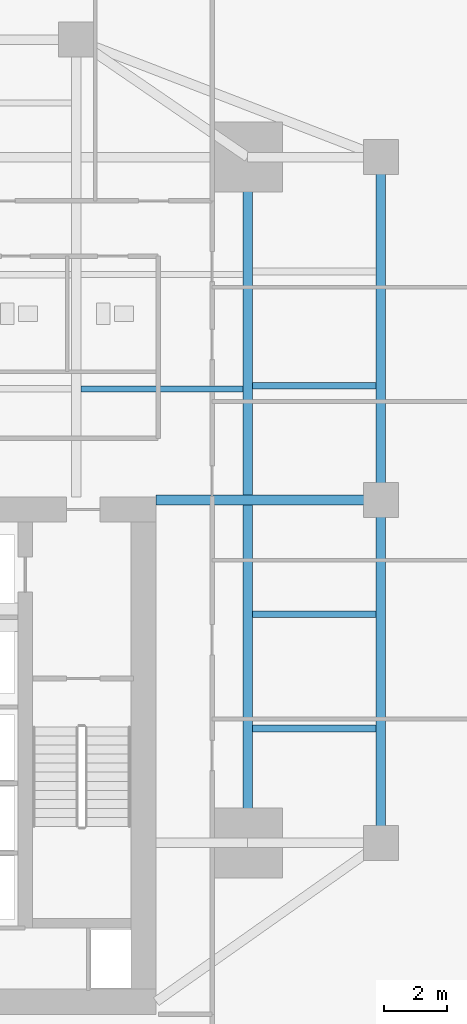
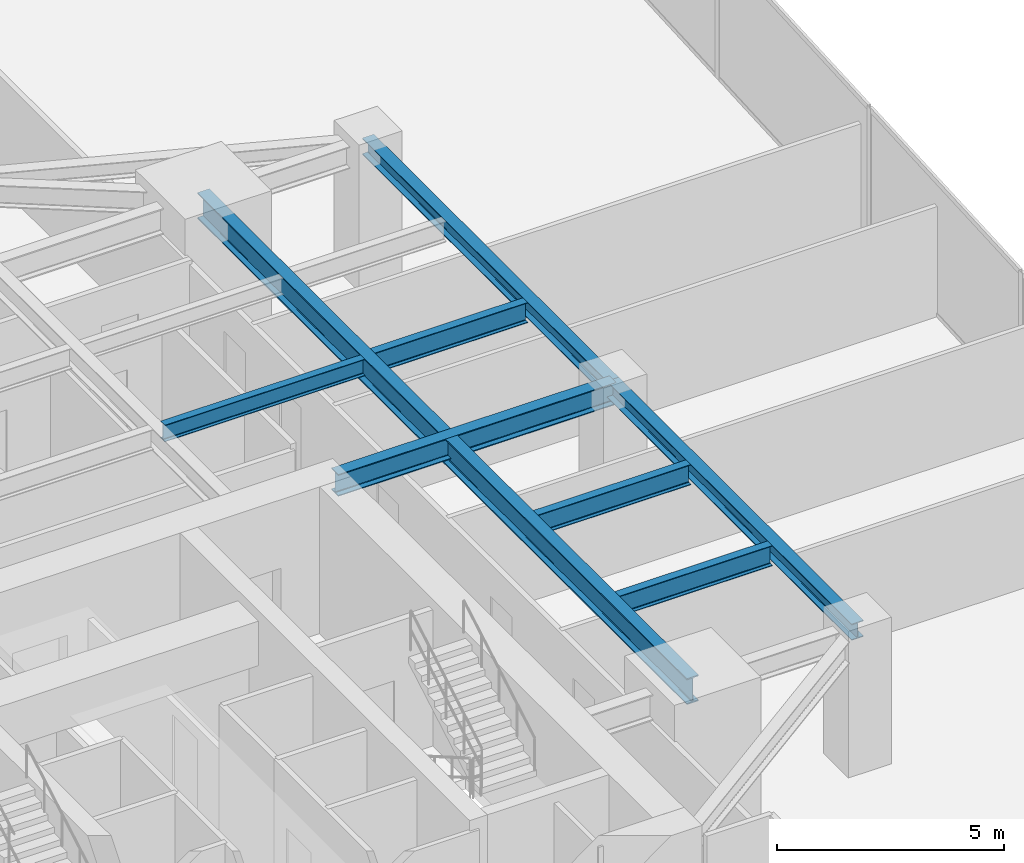
# One storey, part 15 of 30: 8 beams.
"""IFC4 building model written with IfcOpenShell, lengths in metres."""

from ifc_helpers import new_model, si_unit, direction, frame, origin, origin_2d, place, context, subcontext, project, spatial, i_section, extrude, source, transform, mapped, material, material_profile, profile_set, type_object, type_shapes, element, save


model = new_model("IFC4")

# Units and contexts
model_context = context("Model", 3, precision=1e-05, world=origin(), true_north=direction((0.0, 1.0)))
body_context = subcontext(model_context, "Body", "Model", "MODEL_VIEW")
ifc_project = project(units=[si_unit("LENGTHUNIT", "METRE"), si_unit("AREAUNIT", "SQUARE_METRE"), si_unit("VOLUMEUNIT", "CUBIC_METRE"), si_unit("PLANEANGLEUNIT", "RADIAN"), si_unit("MASSUNIT", "GRAM", prefix="KILO")], contexts=[model_context])

# Site, building, storey
site_placement = place(None, origin())
site = spatial("IfcSite", under=ifc_project, at=site_placement, CompositionType="ELEMENT")
building_placement = place(site_placement, origin())
building = spatial("IfcBuilding", under=site, at=building_placement, Name="Krantzveldt Concourse Tower", CompositionType="ELEMENT")
storey_placement = place(building_placement, frame((0.0, 0.0, 44.75)))
storey = spatial("IfcBuildingStorey", under=building, at=storey_placement, Name="L10", CompositionType="ELEMENT", Elevation=44.75)

# Beams
ifc_material_1 = material(Name="Steel S355J2", Category="steel")
ifc_material_profile_1 = material_profile(ifc_material_1, i_section(OverallWidth=0.300048828125, OverallDepth=0.699951171875, WebThickness=0.01708984375, FlangeThickness=0.031982421875, FilletRadius=0.027099609375, at=origin_2d()), Name="Steel S355J2", Category="steel")
ifc_profile_set_1 = profile_set([ifc_material_profile_1], Name="Steel S355J2 - HEB 700")
beam_type_1 = type_object("IfcBeamType", Name="BM-B-HEB700", PredefinedType="BEAM", material=ifc_profile_set_1)
shared_shape_1 = source(origin(), body_context, "Body", "SweptSolid", [
    extrude(i_section(OverallWidth=0.300048828125, OverallDepth=0.699951171875, WebThickness=0.01708984375, FlangeThickness=0.031982421875, FilletRadius=0.027099609375, at=origin_2d()), origin(), (0.0, 0.0, 1.0), 21.60009765625),
])
type_shapes(beam_type_1, [shared_shape_1])
beam_1_placement = place(storey_placement, frame((46.800048828125, 15.89990234375, 3.320068359375), z_axis=(0.0, 1.0, 0.0), x_axis=(-1.0, 0.0, 0.0)))
element("IfcBeam", 1, at=beam_1_placement, inside=storey, type_object=beam_type_1, Name="L10 Tower Girder BG-ME", PredefinedType="BEAM", context=body_context, shape_type="MappedRepresentation", body=[
    mapped(shared_shape_1, transform((0.0, 0.0, 0.0), x_axis=(1.0, 0.0, 0.0), y_axis=(0.0, 1.0, 0.0), z_axis=(0.0, 0.0, 1.0), scale=1.0)),
])
ifc_material_2 = material(Name="Steel S355JR", Category="steel")
ifc_material_profile_2 = material_profile(ifc_material_2, i_section(OverallWidth=0.300048828125, OverallDepth=0.590087890625, WebThickness=0.012939453125, FlangeThickness=0.02490234375, FilletRadius=0.027099609375, at=origin_2d()), Name="Steel S355JR", Category="steel")
ifc_profile_set_2 = profile_set([ifc_material_profile_2], Name="Steel S355JR - HEA 600")
beam_type_2 = type_object("IfcBeamType", Name="BM-B-HEA600", PredefinedType="BEAM", material=ifc_profile_set_2)
shared_shape_2 = source(origin(), body_context, "Body", "SweptSolid", [
    extrude(i_section(OverallWidth=0.300048828125, OverallDepth=0.590087890625, WebThickness=0.012939453125, FlangeThickness=0.02490234375, FilletRadius=0.027099609375, at=origin_2d()), origin(), (0.0, 0.0, 1.0), 7.080078125),
])
type_shapes(beam_type_2, [shared_shape_2])
beam_2_placement = place(storey_placement, frame((43.919921875, 26.699951171875, 3.375), z_axis=(1.0, 0.0, 0.0), x_axis=(0.0, 1.0, 0.0)))
element("IfcBeam", 2, at=beam_2_placement, inside=storey, type_object=beam_type_2, Name="L10 Tower Girder BG-CE2", PredefinedType="BEAM", context=body_context, shape_type="MappedRepresentation", body=[
    mapped(shared_shape_2, transform((0.0, 0.0, 0.0), x_axis=(1.0, 0.0, 0.0), y_axis=(0.0, 1.0, 0.0), z_axis=(0.0, 0.0, 1.0), scale=1.0)),
])
ifc_material_profile_3 = material_profile(ifc_material_2, i_section(OverallWidth=0.300048828125, OverallDepth=0.43994140625, WebThickness=0.011474609375, FlangeThickness=0.02099609375, FilletRadius=0.027099609375, at=origin_2d()), Name="Steel S355JR", Category="steel")
ifc_profile_set_3 = profile_set([ifc_material_profile_3], Name="Steel S355JR - HEA 450")
beam_type_3 = type_object("IfcBeamType", Name="BM-SP-HEA450", PredefinedType="SPANDREL", material=ifc_profile_set_3)
shared_shape_3 = source(origin(), body_context, "Body", "SweptSolid", [
    extrude(i_section(OverallWidth=0.300048828125, OverallDepth=0.43994140625, WebThickness=0.011474609375, FlangeThickness=0.02099609375, FilletRadius=0.027099609375, at=origin_2d()), origin(), (0.0, 0.0, 1.0), 10.800048828125),
])
type_shapes(beam_type_3, [shared_shape_3])
for number, where, z_axis, x_axis, name in (
    (3, (51.0, 37.5, 3.449951171875), (0.0, -1.0, 0.0), (1.0, 0.0, 0.0), "L10 Tower Girder SP-R06"),
    (4, (51.0, 26.699951171875, 3.449951171875), (0.0, -1.0, 0.0), (1.0, 0.0, 0.0), "L10 Tower Girder SP-R07"),
):
    element("IfcBeam", number, at=place(storey_placement, frame(where, z_axis=z_axis, x_axis=x_axis)), inside=storey, type_object=beam_type_3, Name=name, PredefinedType="SPANDREL", context=body_context, shape_type="MappedRepresentation", body=[
        mapped(shared_shape_3, transform((0.0, 0.0, 0.0), x_axis=(1.0, 0.0, 0.0), y_axis=(0.0, 1.0, 0.0), z_axis=(0.0, 0.0, 1.0), scale=1.0)),
    ])
ifc_material_profile_4 = material_profile(ifc_material_2, i_section(OverallWidth=0.18994140625, OverallDepth=0.449951171875, WebThickness=0.009521484375, FlangeThickness=0.0146484375, FilletRadius=0.02099609375, at=origin_2d()), Name="Steel S355JR", Category="steel")
ifc_profile_set_4 = profile_set([ifc_material_profile_4], Name="Steel S355JR - IPE 450")
beam_type_4 = type_object("IfcBeamType", Name="BM-J-IPE450", PredefinedType="JOIST", material=ifc_profile_set_4)
shared_shape_4 = source(origin(), body_context, "Body", "SweptSolid", [
    extrude(i_section(OverallWidth=0.18994140625, OverallDepth=0.449951171875, WebThickness=0.009521484375, FlangeThickness=0.0146484375, FilletRadius=0.02099609375, at=origin_2d()), origin(), (0.0, 0.0, 1.0), 5.099853515625),
])
type_shapes(beam_type_4, [shared_shape_4])
beam_3_placement = place(storey_placement, frame((41.550048828125, 30.199951171875, 3.445068359375), z_axis=(1.0, 0.0, 0.0), x_axis=(0.0, 1.0, 0.0)))
element("IfcBeam", 5, at=beam_3_placement, inside=storey, type_object=beam_type_4, Name="L10 Secondary Floor Joist JN-E1", PredefinedType="JOIST", context=body_context, shape_type="MappedRepresentation", body=[
    mapped(shared_shape_4, transform((0.0, 0.0, 0.0), x_axis=(1.0, 0.0, 0.0), y_axis=(0.0, 1.0, 0.0), z_axis=(0.0, 0.0, 1.0), scale=1.0)),
])
ifc_material_profile_5 = material_profile(ifc_material_2, i_section(OverallWidth=0.2099609375, OverallDepth=0.550048828125, WebThickness=0.010986328125, FlangeThickness=0.01708984375, FilletRadius=0.02392578125, at=origin_2d()), Name="Steel S355JR", Category="steel")
ifc_profile_set_5 = profile_set([ifc_material_profile_5], Name="Steel S355JR - IPE 550")
beam_type_5 = type_object("IfcBeamType", Name="BM-J-IPE550", PredefinedType="JOIST", material=ifc_profile_set_5)
shared_shape_5 = source(origin(), body_context, "Body", "SweptSolid", [
    extrude(i_section(OverallWidth=0.2099609375, OverallDepth=0.550048828125, WebThickness=0.010986328125, FlangeThickness=0.01708984375, FilletRadius=0.02392578125, at=origin_2d()), origin(), (0.0, 0.0, 1.0), 3.900146484375),
])
type_shapes(beam_type_5, [shared_shape_5])
for number, where, z_axis, x_axis, name in (
    (6, (46.949951171875, 19.5, 3.39501953125), (1.0, 0.0, 0.0), (0.0, 1.0, 0.0), "L10 Secondary Floor Joist JE-1"),
    (7, (46.949951171875, 23.10009765625, 3.39501953125), (1.0, 0.0, 0.0), (0.0, 1.0, 0.0), "L10 Secondary Floor Joist JE-2"),
    (8, (46.949951171875, 30.300048828125, 3.39501953125), (1.0, 0.0, 0.0), (0.0, 1.0, 0.0), "L10 Secondary Floor Joist JE-3"),
):
    element("IfcBeam", number, at=place(storey_placement, frame(where, z_axis=z_axis, x_axis=x_axis)), inside=storey, type_object=beam_type_5, Name=name, PredefinedType="JOIST", context=body_context, shape_type="MappedRepresentation", body=[
        mapped(shared_shape_5, transform((0.0, 0.0, 0.0), x_axis=(1.0, 0.0, 0.0), y_axis=(0.0, 1.0, 0.0), z_axis=(0.0, 0.0, 1.0), scale=1.0)),
    ])

save(model, "model.ifc")
